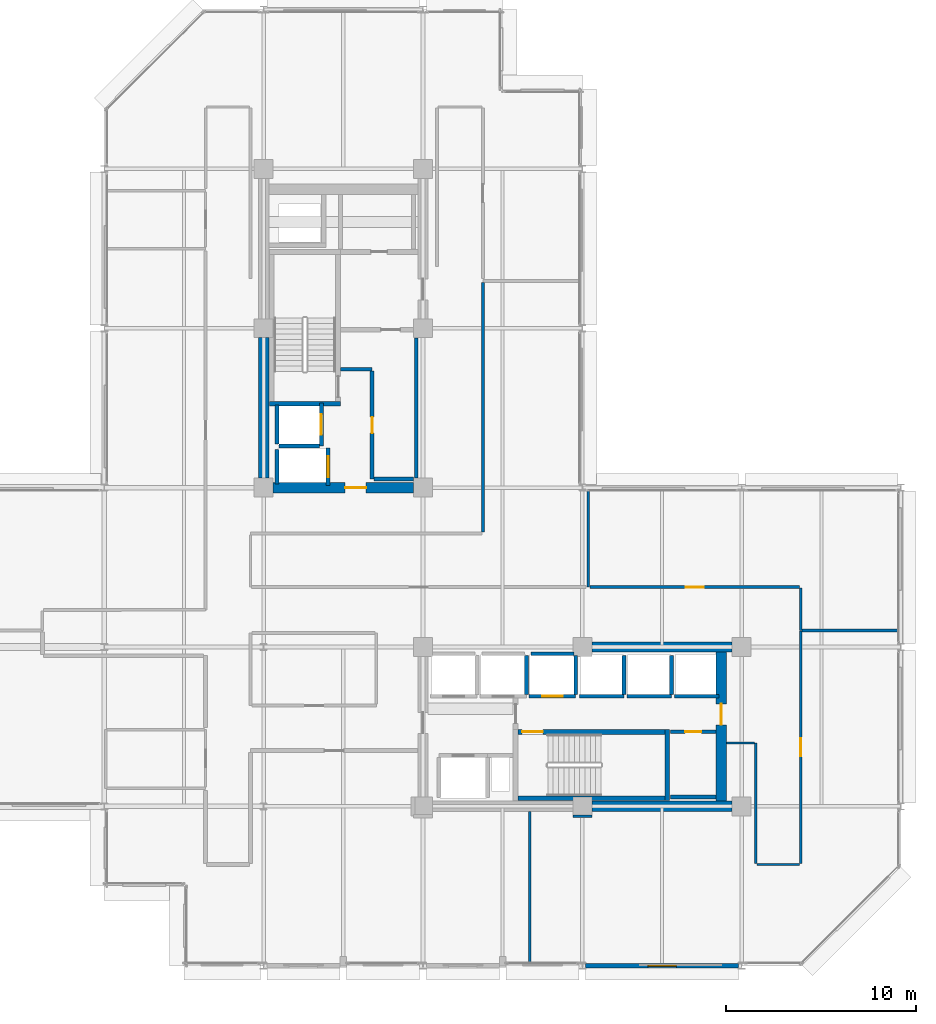
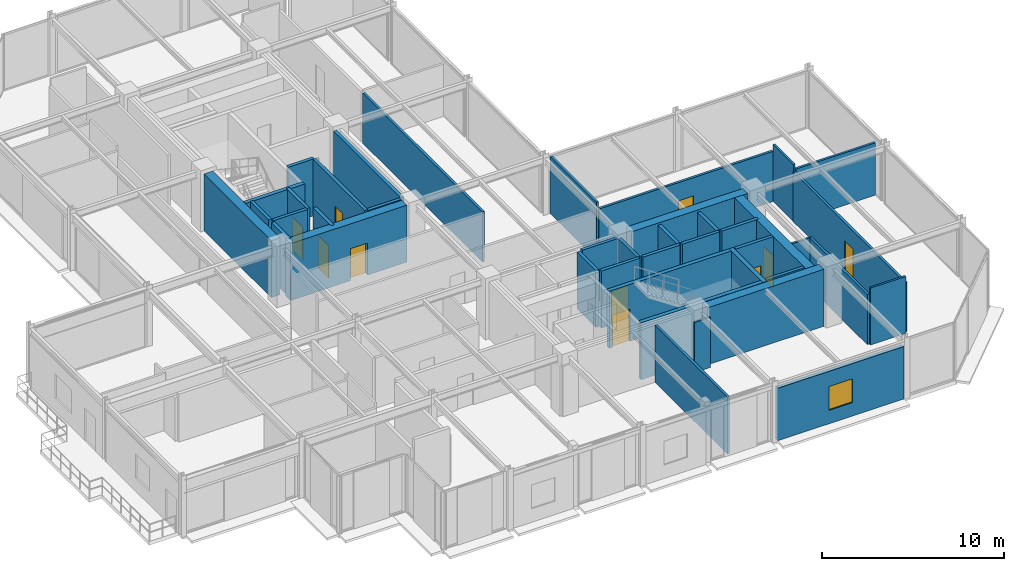
# One storey, part 25 of 29: 41 walls, 10 doors, 1 window, 11 openings.
"""IFC4 building model written with IfcOpenShell, lengths in metres."""

from ifc_helpers import new_model, si_unit, direction, frame, frame_2d, origin, place, context, subcontext, project, spatial, rectangle, extrude, material, layer, layer_set, type_object, element, fill, save


model = new_model("IFC4")

# Units and contexts
model_context = context("Model", 3, precision=1e-05, world=origin(), true_north=direction((0.0, 1.0)))
body_context = subcontext(model_context, "Body", "Model", "MODEL_VIEW")
ifc_project = project(units=[si_unit("LENGTHUNIT", "METRE"), si_unit("AREAUNIT", "SQUARE_METRE"), si_unit("VOLUMEUNIT", "CUBIC_METRE"), si_unit("PLANEANGLEUNIT", "RADIAN"), si_unit("MASSUNIT", "GRAM", prefix="KILO")], contexts=[model_context])

# Site, building, storey
site_placement = place(None, origin())
site = spatial("IfcSite", under=ifc_project, at=site_placement, CompositionType="ELEMENT")
building_placement = place(site_placement, origin())
building = spatial("IfcBuilding", under=site, at=building_placement, Name="Nerrivon Quay Data Exchange", CompositionType="ELEMENT")
storey_placement = place(building_placement, frame((0.0, 0.0, 204.199951171875)))
storey = spatial("IfcBuildingStorey", under=building, at=storey_placement, Name="L48", CompositionType="ELEMENT", Elevation=204.199951171875)

# Wall, opening, window
ifc_material_1 = material(Name="Architectural terracotta precast concrete N50 (50 MPa)", Category="masonry")
ifc_layer_1 = layer(ifc_material_1, 0.239990234375)
ifc_layer_set_1 = layer_set([ifc_layer_1], Name="Architectural terracotta precast concrete N50 (50 MPa)")
wall_type_1 = type_object("IfcWallType", Name="EW-PREC-240", PredefinedType="STANDARD", material=ifc_layer_set_1)
wall_1_placement = place(storey_placement, frame((33.425048828125, 0.0, 0.0), z_axis=(0.0, 0.0, 1.0), x_axis=(-1.0, 0.0, 0.0)))
wall_1 = element("IfcWall", 1, at=wall_1_placement, inside=storey, type_object=wall_type_1, Name="L48 Podium Precast Spandrel Wall 23", PredefinedType="STANDARD", context=body_context, shape_type="SweptSolid", body=[
    extrude(rectangle(XDim=8.050048828125, YDim=0.239990234375, at=frame_2d((4.02490234375, 0.0))), origin(), (0.0, 0.0, 1.0), 3.525146484375),
])
opening_1_placement = place(wall_1_placement, frame((3.27490234375, 0.0, 0.89990234375)))
opening_1 = element("IfcOpeningElement", 2, at=opening_1_placement, cuts=wall_1, Name="Opening WN4", PredefinedType="OPENING", context=body_context, shape_type="SweptSolid", body=[
    extrude(rectangle(XDim=1.5, YDim=1.60009765625, at=frame_2d((0.75, 0.800048828125))), frame((0.0, 0.1298828125, 0.0), z_axis=(0.0, -1.0, 0.0), x_axis=(1.0, 0.0, 0.0)), (0.0, 0.0, 1.0), 0.260009765625),
])
ifc_material_2 = material(Name="Double-glazed low-E solar control glass", Category="glass")
window_type = type_object("IfcWindowType", Name="WIN-W4-1500x1600", PartitioningType="SINGLE_PANEL", PredefinedType="WINDOW", material=ifc_material_2)
window_placement = place(opening_1_placement, origin())
window = element("IfcWindow", 3, at=window_placement, inside=storey, type_object=window_type, Name="L48 Solar Facade Window 23", OverallHeight=1.60009765625, OverallWidth=1.5, PartitioningType="SINGLE_PANEL", PredefinedType="WINDOW", context=body_context, shape_type="SweptSolid", body=[
    extrude(rectangle(XDim=1.5, YDim=1.60009765625, at=frame_2d((0.75, 0.800048828125))), frame((0.0, 0.030029296875, 0.0), z_axis=(0.0, -1.0, 0.0), x_axis=(1.0, 0.0, 0.0)), (0.0, 0.0, 1.0), 0.06005859375),
])
fill(opening_1, window)

# Wall
ifc_material_3 = material(Name="Concrete S65 (65 MPa)", Category="concrete")
ifc_layer_2 = layer(ifc_material_3, 0.550048828125)
ifc_layer_set_2 = layer_set([ifc_layer_2], Name="Concrete S65 (65 MPa)")
wall_type_2 = type_object("IfcWallType", Name="WALL-CW-700", PredefinedType="SHEAR", material=ifc_layer_set_2)
wall_2_placement = place(storey_placement, frame((8.39990234375, 25.699951171875, 0.0), z_axis=(0.0, 0.0, 1.0), x_axis=(0.0, 1.0, 0.0)))
element("IfcWall", 4, at=wall_2_placement, inside=storey, type_object=wall_type_2, Name="L48 West Split-Core Shear Wall WCW-W1", PredefinedType="SHEAR", context=body_context, shape_type="SweptSolid", body=[
    extrude(rectangle(XDim=7.400146484375, YDim=0.550048828125, at=frame_2d((3.7001953125, 0.0))), origin(), (0.0, 0.0, 1.0), 3.824951171875),
])

# Wall, opening, door
wall_3_placement = place(storey_placement, frame((8.89990234375, 25.199951171875, 0.0), z_axis=(0.0, 0.0, 1.0), x_axis=(1.0, 0.0, 0.0)))
wall_3 = element("IfcWall", 5, at=wall_3_placement, inside=storey, type_object=wall_type_2, Name="L48 West Split-Core Shear Wall WCW-S1", PredefinedType="SHEAR", context=body_context, shape_type="SweptSolid", body=[
    extrude(rectangle(XDim=7.400146484375, YDim=0.550048828125, at=frame_2d((3.7001953125, 0.0))), origin(), (0.0, 0.0, 1.0), 3.824951171875),
])
opening_2_placement = place(wall_3_placement, frame((3.800048828125, 0.0, 0.0)))
opening_2 = element("IfcOpeningElement", 6, at=opening_2_placement, cuts=wall_3, Name="Opening FD-120", PredefinedType="OPENING", context=body_context, shape_type="SweptSolid", body=[
    extrude(rectangle(XDim=1.10009765625, YDim=2.14990234375, at=frame_2d((0.550048828125, 1.074951171875))), frame((0.0, 0.284912109375, 0.0), z_axis=(0.0, -1.0, 0.0), x_axis=(1.0, 0.0, 0.0)), (0.0, 0.0, 1.0), 0.570068359375),
])
ifc_material_4 = material(Name="Powder-coated galvanized steel sheet", Category="steel")
door_type_1 = type_object("IfcDoorType", Name="DR-FD120-1100", OperationType="NOTDEFINED", PredefinedType="DOOR", material=ifc_material_4)
door_1_placement = place(opening_2_placement, origin())
door_1 = element("IfcDoor", 7, at=door_1_placement, inside=storey, type_object=door_type_1, Name="L48 West Core Lobby Fire Door", OperationType="SINGLE_SWING_RIGHT", OverallHeight=2.14990234375, OverallWidth=1.10009765625, PredefinedType="DOOR", context=body_context, shape_type="SweptSolid", body=[
    extrude(rectangle(XDim=1.10009765625, YDim=2.14990234375, at=frame_2d((0.550048828125, 1.074951171875))), frame((0.0, 0.02490234375, 0.0), z_axis=(0.0, -1.0, 0.0), x_axis=(1.0, 0.0, 0.0)), (0.0, 0.0, 1.0), 0.050048828125),
])
fill(opening_2, door_1)

# Wall
wall_4_placement = place(storey_placement, frame((25.699951171875, 8.39990234375, 0.0), z_axis=(0.0, 0.0, 1.0), x_axis=(1.0, 0.0, 0.0)))
element("IfcWall", 8, at=wall_4_placement, inside=storey, type_object=wall_type_2, Name="L48 East Split-Core Shear Wall ECW-S2", PredefinedType="SHEAR", context=body_context, shape_type="SweptSolid", body=[
    extrude(rectangle(XDim=7.400146484375, YDim=0.550048828125, at=frame_2d((3.7001953125, 0.0))), origin(), (0.0, 0.0, 1.0), 3.824951171875),
])

# Wall, opening, door
wall_5_placement = place(storey_placement, frame((32.52490234375, 8.675048828125, 0.0), z_axis=(0.0, 0.0, 1.0), x_axis=(0.0, 1.0, 0.0)))
wall_5 = element("IfcWall", 9, at=wall_5_placement, inside=storey, type_object=wall_type_2, Name="L48 East Split-Core Shear Wall ECW-E1", PredefinedType="SHEAR", context=body_context, shape_type="SweptSolid", body=[
    extrude(rectangle(XDim=7.849853515625, YDim=0.550048828125, at=frame_2d((3.9248046875, 0.0))), origin(), (0.0, 0.0, 1.0), 3.824951171875),
])
opening_3_placement = place(wall_5_placement, frame((4.02490234375, 0.0, 0.0)))
opening_3 = element("IfcOpeningElement", 10, at=opening_3_placement, cuts=wall_5, Name="Opening FD-120", PredefinedType="OPENING", context=body_context, shape_type="SweptSolid", body=[
    extrude(rectangle(XDim=1.10009765625, YDim=2.14990234375, at=frame_2d((0.550048828125, 1.074951171875))), frame((0.0, 0.284912109375, 0.0), z_axis=(0.0, -1.0, 0.0), x_axis=(1.0, 0.0, 0.0)), (0.0, 0.0, 1.0), 0.570068359375),
])
door_2_placement = place(opening_3_placement, origin())
door_2 = element("IfcDoor", 11, at=door_2_placement, inside=storey, type_object=door_type_1, Name="L48 East Core Lobby Fire Door", OperationType="SINGLE_SWING_LEFT", OverallHeight=2.14990234375, OverallWidth=1.10009765625, PredefinedType="DOOR", context=body_context, shape_type="SweptSolid", body=[
    extrude(rectangle(XDim=1.10009765625, YDim=2.14990234375, at=frame_2d((0.550048828125, 1.074951171875))), frame((0.0, 0.02490234375, 0.0), z_axis=(0.0, -1.0, 0.0), x_axis=(1.0, 0.0, 0.0)), (0.0, 0.0, 1.0), 0.050048828125),
])
fill(opening_3, door_2)

# Wall
wall_6_placement = place(storey_placement, frame((25.699951171875, 16.800048828125, 0.0), z_axis=(0.0, 0.0, 1.0), x_axis=(1.0, 0.0, 0.0)))
element("IfcWall", 12, at=wall_6_placement, inside=storey, type_object=wall_type_2, Name="L48 East Split-Core Shear Wall ECW-N1", PredefinedType="SHEAR", context=body_context, shape_type="SweptSolid", body=[
    extrude(rectangle(XDim=7.400146484375, YDim=0.550048828125, at=frame_2d((3.7001953125, 0.0))), origin(), (0.0, 0.0, 1.0), 3.824951171875),
])

# Wall, opening, door
ifc_material_5 = material(Name="Gypsum plasterboard on cold-formed framing", Category="gypsum")
ifc_layer_3 = layer(ifc_material_5, 0.199951171875)
ifc_layer_set_3 = layer_set([ifc_layer_3], Name="Gypsum plasterboard on cold-formed framing")
wall_type_3 = type_object("IfcWallType", Name="WALL-FW-200", PredefinedType="PARTITIONING", material=ifc_layer_set_3)
wall_7_placement = place(storey_placement, frame((11.449951171875, 27.39990234375, 0.0), z_axis=(0.0, 0.0, 1.0), x_axis=(0.0, 1.0, 0.0)))
wall_7 = element("IfcWall", 13, at=wall_7_placement, inside=storey, type_object=wall_type_3, Name="L48 Lift Front Wall FFL-1", PredefinedType="PARTITIONING", context=body_context, shape_type="SweptSolid", body=[
    extrude(rectangle(XDim=2.25, YDim=0.199951171875, at=frame_2d((1.125, 0.0))), origin(), (0.0, 0.0, 1.0), 3.824951171875),
])
opening_4_placement = place(wall_7_placement, frame((0.574951171875, 0.0, 0.0)))
opening_4 = element("IfcOpeningElement", 14, at=opening_4_placement, cuts=wall_7, Name="Opening LD-120", PredefinedType="OPENING", context=body_context, shape_type="SweptSolid", body=[
    extrude(rectangle(XDim=1.10009765625, YDim=2.199951171875, at=frame_2d((0.550048828125, 1.10009765625))), frame((0.0, 0.10986328125, 0.0), z_axis=(0.0, -1.0, 0.0), x_axis=(1.0, 0.0, 0.0)), (0.0, 0.0, 1.0), 0.219970703125),
])
door_type_2 = type_object("IfcDoorType", Name="DR-LIFT-LD120", OperationType="DOUBLE_DOOR_SLIDING", PredefinedType="DOOR", material=ifc_material_4)
door_3_placement = place(opening_4_placement, origin())
door_3 = element("IfcDoor", 15, at=door_3_placement, inside=storey, type_object=door_type_2, Name="L48 Lift Landing Sliding Door FFL-1", OperationType="DOUBLE_DOOR_SLIDING", OverallHeight=2.199951171875, OverallWidth=1.10009765625, PredefinedType="DOOR", context=body_context, shape_type="SweptSolid", body=[
    extrude(rectangle(XDim=1.10009765625, YDim=2.199951171875, at=frame_2d((0.550048828125, 1.10009765625))), frame((0.0, 0.02490234375, 0.0), z_axis=(0.0, -1.0, 0.0), x_axis=(1.0, 0.0, 0.0)), (0.0, 0.0, 1.0), 0.050048828125),
])
fill(opening_4, door_3)

# Walls
wall_8_placement = place(storey_placement, frame((9.10009765625, 27.5, 0.0), z_axis=(0.0, 0.0, 1.0), x_axis=(0.0, 1.0, 0.0)))
element("IfcWall", 16, at=wall_8_placement, inside=storey, type_object=wall_type_3, Name="L48 Lift Shaft Wall FFL-1 WEST", PredefinedType="PARTITIONING", context=body_context, shape_type="SweptSolid", body=[
    extrude(rectangle(XDim=2.050048828125, YDim=0.199951171875, at=frame_2d((1.02490234375, 0.0))), origin(), (0.0, 0.0, 1.0), 3.824951171875),
])
wall_9_placement = place(storey_placement, frame((9.199951171875, 27.39990234375, 0.0), z_axis=(0.0, 0.0, 1.0), x_axis=(1.0, 0.0, 0.0)))
element("IfcWall", 17, at=wall_9_placement, inside=storey, type_object=wall_type_3, Name="L48 Lift Shaft Wall FFL-1 SOUTH", PredefinedType="PARTITIONING", context=body_context, shape_type="SweptSolid", body=[
    extrude(rectangle(XDim=2.150146484375, YDim=0.199951171875, at=frame_2d((1.0751953125, 0.0))), origin(), (0.0, 0.0, 1.0), 3.824951171875),
])

# Wall, opening, door
wall_10_placement = place(storey_placement, frame((11.800048828125, 25.300048828125, 0.0), z_axis=(0.0, 0.0, 1.0), x_axis=(0.0, 1.0, 0.0)))
wall_10 = element("IfcWall", 18, at=wall_10_placement, inside=storey, type_object=wall_type_3, Name="L48 Lift Front Wall SVL-1", PredefinedType="PARTITIONING", context=body_context, shape_type="SweptSolid", body=[
    extrude(rectangle(XDim=2.0, YDim=0.199951171875, at=frame_2d((1.0, 0.0))), origin(), (0.0, 0.0, 1.0), 3.824951171875),
])
opening_5_placement = place(wall_10_placement, frame((0.449951171875, 0.0, 0.0)))
opening_5 = element("IfcOpeningElement", 19, at=opening_5_placement, cuts=wall_10, Name="Opening LD-120", PredefinedType="OPENING", context=body_context, shape_type="SweptSolid", body=[
    extrude(rectangle(XDim=1.10009765625, YDim=2.199951171875, at=frame_2d((0.550048828125, 1.10009765625))), frame((0.0, 0.10986328125, 0.0), z_axis=(0.0, -1.0, 0.0), x_axis=(1.0, 0.0, 0.0)), (0.0, 0.0, 1.0), 0.219970703125),
])
door_4_placement = place(opening_5_placement, origin())
door_4 = element("IfcDoor", 20, at=door_4_placement, inside=storey, type_object=door_type_2, Name="L48 Lift Landing Sliding Door SVL-1", OperationType="DOUBLE_DOOR_SLIDING", OverallHeight=2.199951171875, OverallWidth=1.10009765625, PredefinedType="DOOR", context=body_context, shape_type="SweptSolid", body=[
    extrude(rectangle(XDim=1.10009765625, YDim=2.199951171875, at=frame_2d((0.550048828125, 1.10009765625))), frame((0.0, 0.02490234375, 0.0), z_axis=(0.0, -1.0, 0.0), x_axis=(1.0, 0.0, 0.0)), (0.0, 0.0, 1.0), 0.050048828125),
])
fill(opening_5, door_4)

# Walls
wall_11_placement = place(storey_placement, frame((9.10009765625, 25.39990234375, 0.0), z_axis=(0.0, 0.0, 1.0), x_axis=(0.0, 1.0, 0.0)))
element("IfcWall", 21, at=wall_11_placement, inside=storey, type_object=wall_type_3, Name="L48 Lift Shaft Wall SVL-1 WEST", PredefinedType="PARTITIONING", context=body_context, shape_type="SweptSolid", body=[
    extrude(rectangle(XDim=1.800048828125, YDim=0.199951171875, at=frame_2d((0.89990234375, 0.0))), origin(), (0.0, 0.0, 1.0), 3.824951171875),
])
wall_12_placement = place(storey_placement, frame((22.25, 14.300048828125, 0.0), z_axis=(0.0, 0.0, 1.0), x_axis=(0.0, 1.0, 0.0)))
element("IfcWall", 22, at=wall_12_placement, inside=storey, type_object=wall_type_3, Name="L48 Lift Shaft Wall PL5 EAST", PredefinedType="PARTITIONING", context=body_context, shape_type="SweptSolid", body=[
    extrude(rectangle(XDim=2.050048828125, YDim=0.199951171875, at=frame_2d((1.02490234375, 0.0))), origin(), (0.0, 0.0, 1.0), 3.824951171875),
])

# Wall, opening, door
wall_13_placement = place(storey_placement, frame((22.39990234375, 14.199951171875, 0.0), z_axis=(0.0, 0.0, 1.0), x_axis=(1.0, 0.0, 0.0)))
wall_13 = element("IfcWall", 23, at=wall_13_placement, inside=storey, type_object=wall_type_3, Name="L48 Lift Front Wall PL6", PredefinedType="PARTITIONING", context=body_context, shape_type="SweptSolid", body=[
    extrude(rectangle(XDim=2.4501953125, YDim=0.199951171875, at=frame_2d((1.22509765625, 0.0))), origin(), (0.0, 0.0, 1.0), 3.824951171875),
])
opening_6_placement = place(wall_13_placement, frame((0.675048828125, 0.0, 0.0)))
opening_6 = element("IfcOpeningElement", 24, at=opening_6_placement, cuts=wall_13, Name="Opening LD-120", PredefinedType="OPENING", context=body_context, shape_type="SweptSolid", body=[
    extrude(rectangle(XDim=1.10009765625, YDim=2.199951171875, at=frame_2d((0.550048828125, 1.10009765625))), frame((0.0, 0.10986328125, 0.0), z_axis=(0.0, -1.0, 0.0), x_axis=(1.0, 0.0, 0.0)), (0.0, 0.0, 1.0), 0.219970703125),
])
door_5_placement = place(opening_6_placement, origin())
door_5 = element("IfcDoor", 25, at=door_5_placement, inside=storey, type_object=door_type_2, Name="L48 Lift Landing Sliding Door PL6", OperationType="DOUBLE_DOOR_SLIDING", OverallHeight=2.199951171875, OverallWidth=1.10009765625, PredefinedType="DOOR", context=body_context, shape_type="SweptSolid", body=[
    extrude(rectangle(XDim=1.10009765625, YDim=2.199951171875, at=frame_2d((0.550048828125, 1.10009765625))), frame((0.0, 0.02490234375, 0.0), z_axis=(0.0, -1.0, 0.0), x_axis=(1.0, 0.0, 0.0)), (0.0, 0.0, 1.0), 0.050048828125),
])
fill(opening_6, door_5)

# Walls
wall_14_placement = place(storey_placement, frame((24.85009765625, 14.300048828125, 0.0), z_axis=(0.0, 0.0, 1.0), x_axis=(0.0, 1.0, 0.0)))
element("IfcWall", 26, at=wall_14_placement, inside=storey, type_object=wall_type_3, Name="L48 Lift Shaft Wall PL6 EAST", PredefinedType="PARTITIONING", context=body_context, shape_type="SweptSolid", body=[
    extrude(rectangle(XDim=2.050048828125, YDim=0.199951171875, at=frame_2d((1.02490234375, 0.0))), origin(), (0.0, 0.0, 1.0), 3.824951171875),
])
wall_15_placement = place(storey_placement, frame((22.5, 16.449951171875, 0.0), z_axis=(0.0, 0.0, 1.0), x_axis=(1.0, 0.0, 0.0)))
element("IfcWall", 27, at=wall_15_placement, inside=storey, type_object=wall_type_3, Name="L48 Lift Shaft Wall PL6 NORTH", PredefinedType="PARTITIONING", context=body_context, shape_type="SweptSolid", body=[
    extrude(rectangle(XDim=2.25, YDim=0.199951171875, at=frame_2d((1.125, 0.0))), origin(), (0.0, 0.0, 1.0), 3.824951171875),
])
wall_16_placement = place(storey_placement, frame((25.050048828125, 14.199951171875, 0.0), z_axis=(0.0, 0.0, 1.0), x_axis=(1.0, 0.0, 0.0)))
element("IfcWall", 28, at=wall_16_placement, inside=storey, type_object=wall_type_3, Name="L48 Lift Front Wall PL7", PredefinedType="PARTITIONING", context=body_context, shape_type="SweptSolid", body=[
    extrude(rectangle(XDim=2.349853515625, YDim=0.199951171875, at=frame_2d((1.1748046875, 0.0))), origin(), (0.0, 0.0, 1.0), 3.824951171875),
])
wall_17_placement = place(storey_placement, frame((27.39990234375, 14.300048828125, 0.0), z_axis=(0.0, 0.0, 1.0), x_axis=(0.0, 1.0, 0.0)))
element("IfcWall", 29, at=wall_17_placement, inside=storey, type_object=wall_type_3, Name="L48 Lift Shaft Wall PL7 EAST", PredefinedType="PARTITIONING", context=body_context, shape_type="SweptSolid", body=[
    extrude(rectangle(XDim=2.050048828125, YDim=0.199951171875, at=frame_2d((1.02490234375, 0.0))), origin(), (0.0, 0.0, 1.0), 3.824951171875),
])
wall_18_placement = place(storey_placement, frame((27.550048828125, 14.199951171875, 0.0), z_axis=(0.0, 0.0, 1.0), x_axis=(1.0, 0.0, 0.0)))
element("IfcWall", 30, at=wall_18_placement, inside=storey, type_object=wall_type_3, Name="L48 Lift Front Wall PL8", PredefinedType="PARTITIONING", context=body_context, shape_type="SweptSolid", body=[
    extrude(rectangle(XDim=2.349853515625, YDim=0.199951171875, at=frame_2d((1.1748046875, 0.0))), origin(), (0.0, 0.0, 1.0), 3.824951171875),
])
wall_19_placement = place(storey_placement, frame((29.89990234375, 14.300048828125, 0.0), z_axis=(0.0, 0.0, 1.0), x_axis=(0.0, 1.0, 0.0)))
element("IfcWall", 31, at=wall_19_placement, inside=storey, type_object=wall_type_3, Name="L48 Lift Shaft Wall PL8 EAST", PredefinedType="PARTITIONING", context=body_context, shape_type="SweptSolid", body=[
    extrude(rectangle(XDim=2.050048828125, YDim=0.199951171875, at=frame_2d((1.02490234375, 0.0))), origin(), (0.0, 0.0, 1.0), 3.824951171875),
])
wall_20_placement = place(storey_placement, frame((30.050048828125, 14.199951171875, 0.0), z_axis=(0.0, 0.0, 1.0), x_axis=(1.0, 0.0, 0.0)))
element("IfcWall", 32, at=wall_20_placement, inside=storey, type_object=wall_type_3, Name="L48 Lift Front Wall PL9", PredefinedType="PARTITIONING", context=body_context, shape_type="SweptSolid", body=[
    extrude(rectangle(XDim=2.349853515625, YDim=0.199951171875, at=frame_2d((1.1748046875, 0.0))), origin(), (0.0, 0.0, 1.0), 3.824951171875),
])
wall_21_placement = place(storey_placement, frame((16.449951171875, 25.705078125, 0.0), z_axis=(0.0, 0.0, 1.0), x_axis=(0.0, 1.0, 0.0)))
element("IfcWall", 33, at=wall_21_placement, inside=storey, type_object=wall_type_3, Name="L48 Partition Telemetry Hub Closet", PredefinedType="PARTITIONING", context=body_context, shape_type="SweptSolid", body=[
    extrude(rectangle(XDim=7.389892578125, YDim=0.199951171875, at=frame_2d((3.69482421875, 0.0))), origin(), (0.0, 0.0, 1.0), 3.824951171875),
])
wall_22_placement = place(storey_placement, frame((12.4541015625, 31.43994140625, 0.0), z_axis=(0.0, 0.0, 1.0), x_axis=(1.0, 0.0, 0.0)))
element("IfcWall", 34, at=wall_22_placement, inside=storey, type_object=wall_type_3, Name="L48 Partition Telemetry Hub Closet", PredefinedType="PARTITIONING", context=body_context, shape_type="SweptSolid", body=[
    extrude(rectangle(XDim=1.666015625, YDim=0.199951171875, at=frame_2d((0.8330078125, 0.0))), origin(), (0.0, 0.0, 1.0), 3.824951171875),
])

# Wall, opening, door
wall_23_placement = place(storey_placement, frame((14.1201171875, 31.3359375, 0.0), z_axis=(0.0, 0.0, 1.0), x_axis=(0.0, -1.0, 0.0)))
wall_23 = element("IfcWall", 35, at=wall_23_placement, inside=storey, type_object=wall_type_3, Name="L48 Partition Telemetry Hub Closet", PredefinedType="PARTITIONING", context=body_context, shape_type="SweptSolid", body=[
    extrude(rectangle(XDim=5.68603515625, YDim=0.199951171875, at=frame_2d((2.843017578125, 0.0))), origin(), (0.0, 0.0, 1.0), 3.824951171875),
])
opening_7_placement = place(wall_23_placement, frame((2.41796875, 0.0, 0.0)))
opening_7 = element("IfcOpeningElement", 36, at=opening_7_placement, cuts=wall_23, Name="Opening FD-60S", PredefinedType="OPENING", context=body_context, shape_type="SweptSolid", body=[
    extrude(rectangle(XDim=0.85009765625, YDim=2.14990234375, at=frame_2d((0.425048828125, 1.074951171875))), frame((0.0, 0.10986328125, 0.0), z_axis=(0.0, -1.0, 0.0), x_axis=(1.0, 0.0, 0.0)), (0.0, 0.0, 1.0), 0.219970703125),
])
ifc_material_6 = material(Name="Engineered hardwood timber", Category="wood")
door_type_3 = type_object("IfcDoorType", Name="DR-FD60-850", OperationType="NOTDEFINED", PredefinedType="DOOR", material=ifc_material_6)
door_6_placement = place(opening_7_placement, origin())
door_6 = element("IfcDoor", 37, at=door_6_placement, inside=storey, type_object=door_type_3, Name="L48 Door Telemetry Hub Closet", OperationType="SINGLE_SWING_LEFT", OverallHeight=2.14990234375, OverallWidth=0.85009765625, PredefinedType="DOOR", context=body_context, shape_type="SweptSolid", body=[
    extrude(rectangle(XDim=0.85009765625, YDim=2.14990234375, at=frame_2d((0.425048828125, 1.074951171875))), frame((0.0, 0.02490234375, 0.0), z_axis=(0.0, -1.0, 0.0), x_axis=(1.0, 0.0, 0.0)), (0.0, 0.0, 1.0), 0.050048828125),
])
fill(opening_7, door_6)

# Wall
wall_24_placement = place(storey_placement, frame((14.22412109375, 25.64990234375, 0.0), z_axis=(0.0, 0.0, 1.0), x_axis=(1.0, 0.0, 0.0)))
element("IfcWall", 38, at=wall_24_placement, inside=storey, type_object=wall_type_3, Name="L48 Partition Telemetry Hub Closet", PredefinedType="PARTITIONING", context=body_context, shape_type="SweptSolid", body=[
    extrude(rectangle(XDim=2.07080078125, YDim=0.199951171875, at=frame_2d((1.035400390625, 0.0))), origin(), (0.0, 0.0, 1.0), 3.824951171875),
])

# Wall, opening, door
wall_25_placement = place(storey_placement, frame((32.24609375, 12.330078125, 0.0), z_axis=(0.0, 0.0, 1.0), x_axis=(-1.0, 0.0, 0.0)))
wall_25 = element("IfcWall", 39, at=wall_25_placement, inside=storey, type_object=wall_type_3, Name="L48 Partition East Telecom Closet", PredefinedType="PARTITIONING", context=body_context, shape_type="SweptSolid", body=[
    extrude(rectangle(XDim=2.39599609375, YDim=0.199951171875, at=frame_2d((1.197998046875, 0.0))), origin(), (0.0, 0.0, 1.0), 3.824951171875),
])
opening_8_placement = place(wall_25_placement, frame((0.77294921875, 0.0, 0.0)))
opening_8 = element("IfcOpeningElement", 40, at=opening_8_placement, cuts=wall_25, Name="Opening FD-60S", PredefinedType="OPENING", context=body_context, shape_type="SweptSolid", body=[
    extrude(rectangle(XDim=0.85009765625, YDim=2.14990234375, at=frame_2d((0.425048828125, 1.074951171875))), frame((0.0, 0.10986328125, 0.0), z_axis=(0.0, -1.0, 0.0), x_axis=(1.0, 0.0, 0.0)), (0.0, 0.0, 1.0), 0.219970703125),
])
door_7_placement = place(opening_8_placement, origin())
door_7 = element("IfcDoor", 41, at=door_7_placement, inside=storey, type_object=door_type_3, Name="L48 Door East Telecom Closet", OperationType="SINGLE_SWING_LEFT", OverallHeight=2.14990234375, OverallWidth=0.85009765625, PredefinedType="DOOR", context=body_context, shape_type="SweptSolid", body=[
    extrude(rectangle(XDim=0.85009765625, YDim=2.14990234375, at=frame_2d((0.425048828125, 1.074951171875))), frame((0.0, 0.02490234375, 0.0), z_axis=(0.0, -1.0, 0.0), x_axis=(1.0, 0.0, 0.0)), (0.0, 0.0, 1.0), 0.050048828125),
])
fill(opening_8, door_7)

# Walls
wall_26_placement = place(storey_placement, frame((29.85009765625, 8.89990234375, 0.0), z_axis=(0.0, 0.0, 1.0), x_axis=(1.0, 0.0, 0.0)))
element("IfcWall", 42, at=wall_26_placement, inside=storey, type_object=wall_type_3, Name="L48 Partition East Telecom Closet", PredefinedType="PARTITIONING", context=body_context, shape_type="SweptSolid", body=[
    extrude(rectangle(XDim=2.39599609375, YDim=0.199951171875, at=frame_2d((1.197998046875, 0.0))), origin(), (0.0, 0.0, 1.0), 3.824951171875),
])
ifc_layer_4 = layer(ifc_material_5, 0.1201171875)
ifc_layer_set_4 = layer_set([ifc_layer_4], Name="Gypsum plasterboard on cold-formed framing")
wall_type_4 = type_object("IfcWallType", Name="WALL-PT-120", PredefinedType="PARTITIONING", material=ifc_layer_set_4)
wall_27_placement = place(storey_placement, frame((36.7099609375, 19.89990234375, 0.0), z_axis=(0.0, 0.0, 1.0), x_axis=(0.0, -1.0, 0.0)))
element("IfcWall", 43, at=wall_27_placement, inside=storey, type_object=wall_type_4, Name="L48 Partition Shared Breakout Kitchenette", PredefinedType="PARTITIONING", context=body_context, shape_type="SweptSolid", body=[
    extrude(rectangle(XDim=2.22998046875, YDim=0.1201171875, at=frame_2d((1.114990234375, 0.0))), origin(), (0.0, 0.0, 1.0), 3.824951171875),
])
wall_28_placement = place(storey_placement, frame((25.703857421875, 7.88037109375, 0.0), z_axis=(0.0, 0.0, 1.0), x_axis=(-0.999999881717, -0.000486381265, 0.0)))
element("IfcWall", 44, at=wall_28_placement, inside=storey, type_object=wall_type_4, Name="L48 Partition Client Conference Room 1", PredefinedType="PARTITIONING", context=body_context, shape_type="SweptSolid", body=[
    extrude(rectangle(XDim=1.00390625, YDim=0.1201171875, at=frame_2d((0.501953125, 0.0))), origin(), (0.0, 0.0, 1.0), 3.37109375),
])
wall_29_placement = place(storey_placement, frame((36.64990234375, 5.340087890625, 0.0), z_axis=(0.0, 0.0, 1.0), x_axis=(-1.0, 0.0, 0.0)))
element("IfcWall", 45, at=wall_29_placement, inside=storey, type_object=wall_type_4, Name="L48 Partition Client Conference Room 1", PredefinedType="PARTITIONING", context=body_context, shape_type="SweptSolid", body=[
    extrude(rectangle(XDim=2.25, YDim=0.1201171875, at=frame_2d((1.125, 0.0))), origin(), (0.0, 0.0, 1.0), 3.824951171875),
])
wall_30_placement = place(storey_placement, frame((34.260986328125, 11.739990234375, 0.0), z_axis=(0.0, 0.0, 1.0), x_axis=(-1.0, 0.0, 0.0)))
element("IfcWall", 46, at=wall_30_placement, inside=storey, type_object=wall_type_4, Name="L48 Partition Client Conference Room 1", PredefinedType="PARTITIONING", context=body_context, shape_type="SweptSolid", body=[
    extrude(rectangle(XDim=1.45703125, YDim=0.1201171875, at=frame_2d((0.728515625, 0.0))), origin(), (0.0, 0.0, 1.0), 3.37109375),
])
ifc_layer_5 = layer(ifc_material_5, 0.135009765625)
ifc_layer_set_5 = layer_set([ifc_layer_5], Name="Gypsum plasterboard on cold-formed framing")
wall_type_5 = type_object("IfcWallType", Name="WALL-PT-135", PredefinedType="PARTITIONING", material=ifc_layer_set_5)
wall_31_placement = place(storey_placement, frame((36.77392578125, 17.669921875, 0.0), z_axis=(0.0, 0.0, 1.0), x_axis=(1.0, 0.0, 0.0)))
element("IfcWall", 47, at=wall_31_placement, inside=storey, type_object=wall_type_5, Name="L48 Partition Shared Breakout Kitchenette", PredefinedType="PARTITIONING", context=body_context, shape_type="SweptSolid", body=[
    extrude(rectangle(XDim=5.05712890625, YDim=0.135009765625, at=frame_2d((2.528564453125, 0.0))), origin(), (0.0, 0.0, 1.0), 3.51806640625),
])
wall_32_placement = place(storey_placement, frame((25.521484375, 25.031005859375, 0.0), z_axis=(0.0, 0.0, 1.0), x_axis=(0.0, -1.0, 0.0)))
element("IfcWall", 48, at=wall_32_placement, inside=storey, type_object=wall_type_5, Name="L48 Partition Shared Breakout Kitchenette", PredefinedType="PARTITIONING", context=body_context, shape_type="SweptSolid", body=[
    extrude(rectangle(XDim=5.071044921875, YDim=0.135009765625, at=frame_2d((2.53564453125, 0.0))), origin(), (0.0, 0.0, 1.0), 3.824951171875),
])

# Wall, opening, door
ifc_layer_6 = layer(ifc_material_5, 0.14990234375)
ifc_layer_set_6 = layer_set([ifc_layer_6], Name="Gypsum plasterboard on cold-formed framing")
wall_type_6 = type_object("IfcWallType", Name="WALL-PT-150", PredefinedType="PARTITIONING", material=ifc_layer_set_6)
wall_33_placement = place(storey_placement, frame((25.593017578125, 19.9599609375, 0.0), z_axis=(0.0, 0.0, 1.0), x_axis=(1.0, 0.0, 0.0)))
wall_33 = element("IfcWall", 49, at=wall_33_placement, inside=storey, type_object=wall_type_6, Name="L48 Partition Shared Breakout Kitchenette", PredefinedType="PARTITIONING", context=body_context, shape_type="SweptSolid", body=[
    extrude(rectangle(XDim=11.056884765625, YDim=0.14990234375, at=frame_2d((5.5283203125, 0.0))), origin(), (0.0, 0.0, 1.0), 3.37109375),
])
opening_9_placement = place(wall_33_placement, frame((5.053466796875, 0.0, 0.0)))
opening_9 = element("IfcOpeningElement", 50, at=opening_9_placement, cuts=wall_33, Name="Opening D-01", PredefinedType="OPENING", context=body_context, shape_type="SweptSolid", body=[
    extrude(rectangle(XDim=0.949951171875, YDim=2.14990234375, at=frame_2d((0.47509765625, 1.074951171875))), frame((0.0, 0.0849609375, 0.0), z_axis=(0.0, -1.0, 0.0), x_axis=(1.0, 0.0, 0.0)), (0.0, 0.0, 1.0), 0.169921875),
])
door_type_4 = type_object("IfcDoorType", Name="DR-INT-950", OperationType="NOTDEFINED", PredefinedType="DOOR", material=ifc_material_6)
door_8_placement = place(opening_9_placement, origin())
door_8 = element("IfcDoor", 51, at=door_8_placement, inside=storey, type_object=door_type_4, Name="L48 Door Shared Breakout Kitchenette", OperationType="SINGLE_SWING_LEFT", OverallHeight=2.14990234375, OverallWidth=0.949951171875, PredefinedType="DOOR", context=body_context, shape_type="SweptSolid", body=[
    extrude(rectangle(XDim=0.949951171875, YDim=2.14990234375, at=frame_2d((0.47509765625, 1.074951171875))), frame((0.0, 0.02490234375, 0.0), z_axis=(0.0, -1.0, 0.0), x_axis=(1.0, 0.0, 0.0)), (0.0, 0.0, 1.0), 0.050048828125),
])
fill(opening_9, door_8)

# Walls
wall_34_placement = place(storey_placement, frame((19.9599609375, 36.0205078125, 0.0), z_axis=(0.0, 0.0, 1.0), x_axis=(0.0, -1.0, 0.0)))
element("IfcWall", 52, at=wall_34_placement, inside=storey, type_object=wall_type_6, Name="L48 Partition Staff Tea Pantry", PredefinedType="PARTITIONING", context=body_context, shape_type="SweptSolid", body=[
    extrude(rectangle(XDim=13.17041015625, YDim=0.14990234375, at=frame_2d((6.585205078125, 0.0))), origin(), (0.0, 0.0, 1.0), 3.364990234375),
])
wall_35_placement = place(storey_placement, frame((22.425537109375, 8.12109375, 0.0), z_axis=(0.0, 0.0, 1.0), x_axis=(0.0, -1.0, 0.0)))
element("IfcWall", 53, at=wall_35_placement, inside=storey, type_object=wall_type_6, Name="L48 Partition Client Conference Room 1", PredefinedType="PARTITIONING", context=body_context, shape_type="SweptSolid", body=[
    extrude(rectangle(XDim=7.9521484375, YDim=0.14990234375, at=frame_2d((3.97607421875, 0.0))), origin(), (0.0, 0.0, 1.0), 3.824951171875),
])

# Wall, opening, door
wall_36_placement = place(storey_placement, frame((36.7099609375, 17.64990234375, 0.0), z_axis=(0.0, 0.0, 1.0), x_axis=(0.0, -1.0, 0.0)))
wall_36 = element("IfcWall", 54, at=wall_36_placement, inside=storey, type_object=wall_type_6, Name="L48 Partition Client Conference Room 1", PredefinedType="PARTITIONING", context=body_context, shape_type="SweptSolid", body=[
    extrude(rectangle(XDim=12.25, YDim=0.14990234375, at=frame_2d((6.125, 0.0))), origin(), (0.0, 0.0, 1.0), 3.364990234375),
])
opening_10_placement = place(wall_36_placement, frame((5.64990234375, 0.0, 0.0)))
opening_10 = element("IfcOpeningElement", 55, at=opening_10_placement, cuts=wall_36, Name="Opening D-01", PredefinedType="OPENING", context=body_context, shape_type="SweptSolid", body=[
    extrude(rectangle(XDim=0.949951171875, YDim=2.14990234375, at=frame_2d((0.47509765625, 1.074951171875))), frame((0.0, 0.0849609375, 0.0), z_axis=(0.0, -1.0, 0.0), x_axis=(1.0, 0.0, 0.0)), (0.0, 0.0, 1.0), 0.169921875),
])
door_9_placement = place(opening_10_placement, origin())
door_9 = element("IfcDoor", 56, at=door_9_placement, inside=storey, type_object=door_type_4, Name="L48 Door Client Conference Room 1", OperationType="SINGLE_SWING_RIGHT", OverallHeight=2.14990234375, OverallWidth=0.949951171875, PredefinedType="DOOR", context=body_context, shape_type="SweptSolid", body=[
    extrude(rectangle(XDim=0.949951171875, YDim=2.14990234375, at=frame_2d((0.47509765625, 1.074951171875))), frame((0.0, 0.02490234375, 0.0), z_axis=(0.0, -1.0, 0.0), x_axis=(1.0, 0.0, 0.0)), (0.0, 0.0, 1.0), 0.050048828125),
])
fill(opening_10, door_9)

# Walls
wall_37_placement = place(storey_placement, frame((34.340087890625, 5.39990234375, 0.0), z_axis=(0.0, 0.0, 1.0), x_axis=(0.0, 1.0, 0.0)))
element("IfcWall", 57, at=wall_37_placement, inside=storey, type_object=wall_type_6, Name="L48 Partition Client Conference Room 1", PredefinedType="PARTITIONING", context=body_context, shape_type="SweptSolid", body=[
    extrude(rectangle(XDim=6.340087890625, YDim=0.14990234375, at=frame_2d((3.169921875, 0.0))), origin(), (0.0, 0.0, 1.0), 3.364990234375),
])
ifc_material_7 = material(Name="Concrete N50 (50 MPa)", Category="concrete")
ifc_layer_7 = layer(ifc_material_7, 0.25)
ifc_layer_set_7 = layer_set([ifc_layer_7], Name="Concrete N50 (50 MPa)")
wall_type_7 = type_object("IfcWallType", Name="WALL-SW-250", PredefinedType="SHEAR", material=ifc_layer_set_7)
for number, where, z_axis, x_axis, name in (
    (58, (12.449951171875, 29.625, 0.0), (0.0, 0.0, 1.0), (-1.0, 0.0, 0.0), "L48 ST01 Structural Stair Core Wall NEAR"),
    (59, (29.675048828125, 8.699951171875, 0.0), (0.0, 0.0, 1.0), (0.0, 1.0, 0.0), "L48 ST02 Structural Stair Core Wall FAR"),
):
    element("IfcWall", number, at=place(storey_placement, frame(where, z_axis=z_axis, x_axis=x_axis)), inside=storey, type_object=wall_type_7, Name=name, PredefinedType="SHEAR", context=body_context, shape_type="SweptSolid", body=[
        extrude(rectangle(XDim=3.75, YDim=0.25, at=frame_2d((1.875, 0.0))), origin(), (0.0, 0.0, 1.0), 3.824951171875),
    ])
wall_38_placement = place(storey_placement, frame((21.800048828125, 8.824951171875, 0.0), z_axis=(0.0, 0.0, 1.0), x_axis=(1.0, 0.0, 0.0)))
element("IfcWall", 60, at=wall_38_placement, inside=storey, type_object=wall_type_7, Name="L48 ST02 Structural Stair Core Wall LEFT", PredefinedType="SHEAR", context=body_context, shape_type="SweptSolid", body=[
    extrude(rectangle(XDim=7.75, YDim=0.25, at=frame_2d((3.875, 0.0))), origin(), (0.0, 0.0, 1.0), 3.824951171875),
])

# Wall, opening, door
wall_39_placement = place(storey_placement, frame((21.800048828125, 12.324951171875, 0.0), z_axis=(0.0, 0.0, 1.0), x_axis=(1.0, 0.0, 0.0)))
wall_39 = element("IfcWall", 61, at=wall_39_placement, inside=storey, type_object=wall_type_7, Name="L48 ST02 Structural Stair Core Wall RIGHT", PredefinedType="SHEAR", context=body_context, shape_type="SweptSolid", body=[
    extrude(rectangle(XDim=7.75, YDim=0.25, at=frame_2d((3.875, 0.0))), origin(), (0.0, 0.0, 1.0), 3.824951171875),
])
opening_11_placement = place(wall_39_placement, frame((0.219970703125, 0.0, 0.0)))
opening_11 = element("IfcOpeningElement", 62, at=opening_11_placement, cuts=wall_39, Name="Opening FD-120", PredefinedType="OPENING", context=body_context, shape_type="SweptSolid", body=[
    extrude(rectangle(XDim=1.10009765625, YDim=2.14990234375, at=frame_2d((0.550048828125, 1.074951171875))), frame((0.0, 0.135009765625, 0.0), z_axis=(0.0, -1.0, 0.0), x_axis=(1.0, 0.0, 0.0)), (0.0, 0.0, 1.0), 0.27001953125),
])
door_10_placement = place(opening_11_placement, origin())
door_10 = element("IfcDoor", 63, at=door_10_placement, inside=storey, type_object=door_type_1, Name="L48 Protected Stair Door ST02", OperationType="SINGLE_SWING_RIGHT", OverallHeight=2.14990234375, OverallWidth=1.10009765625, PredefinedType="DOOR", context=body_context, shape_type="SweptSolid", body=[
    extrude(rectangle(XDim=1.10009765625, YDim=2.14990234375, at=frame_2d((0.550048828125, 1.074951171875))), frame((0.0, 0.02490234375, 0.0), z_axis=(0.0, -1.0, 0.0), x_axis=(1.0, 0.0, 0.0)), (0.0, 0.0, 1.0), 0.050048828125),
])
fill(opening_11, door_10)

save(model, "model.ifc")
